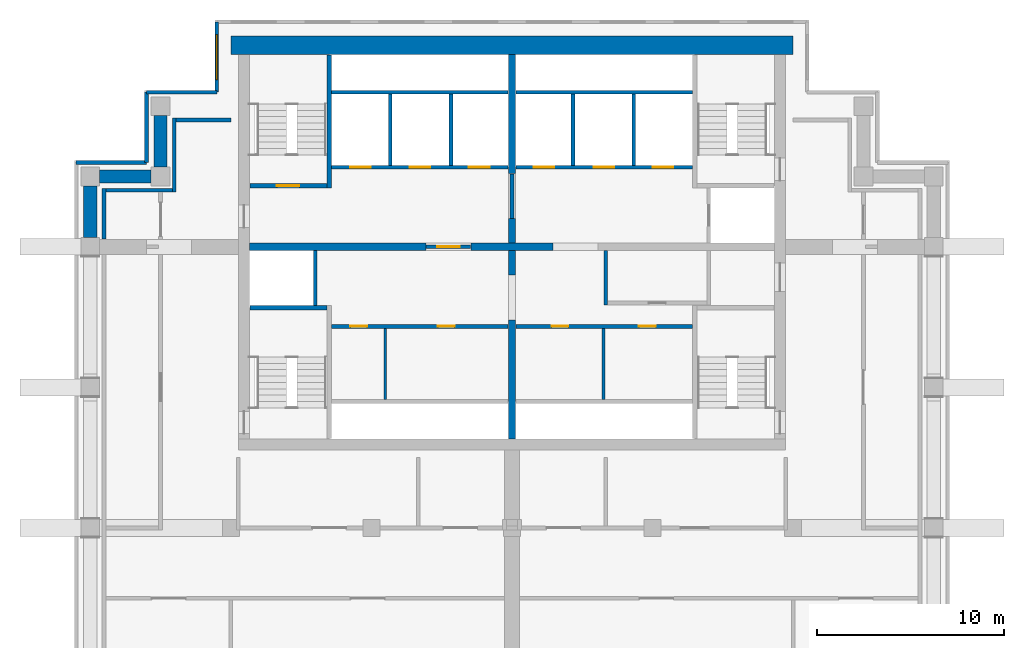
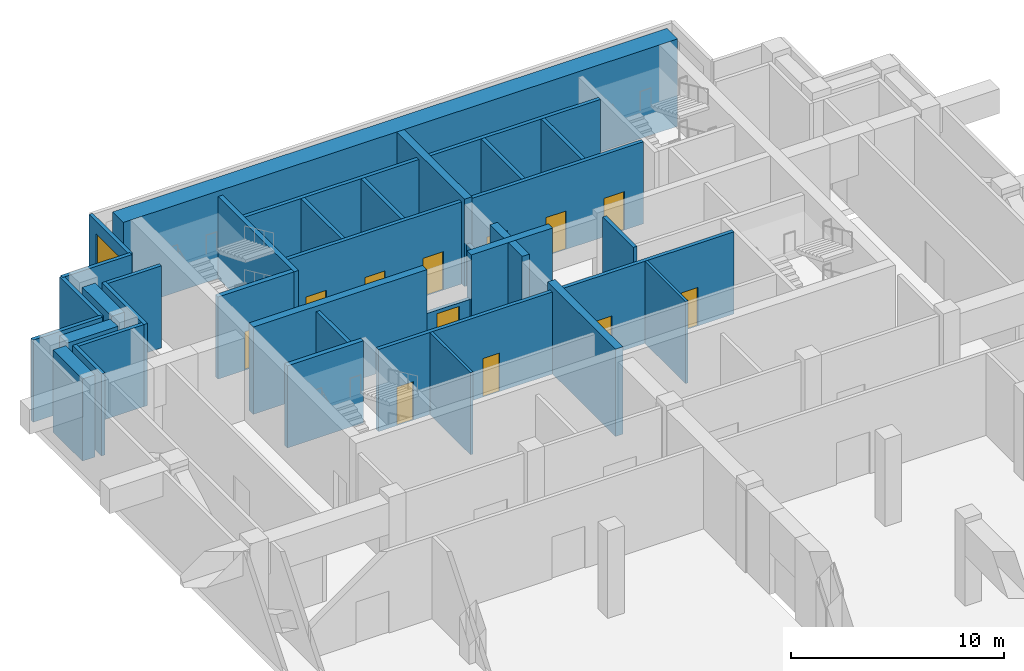
# One storey, part 3 of 6: 37 walls, 12 doors, 1 window, 13 openings.
"""IFC4 building model written with IfcOpenShell, lengths in metres."""

from ifc_helpers import new_model, si_unit, direction, frame, frame_2d, origin, place, context, subcontext, project, spatial, rectangle, extrude, material, layer, layer_set, type_object, element, fill, save


model = new_model("IFC4")

# Units and contexts
model_context = context("Model", 3, precision=1e-05, world=origin(), true_north=direction((0.0, 1.0)))
body_context = subcontext(model_context, "Body", "Model", "MODEL_VIEW")
ifc_project = project(units=[si_unit("LENGTHUNIT", "METRE"), si_unit("AREAUNIT", "SQUARE_METRE"), si_unit("VOLUMEUNIT", "CUBIC_METRE"), si_unit("PLANEANGLEUNIT", "RADIAN"), si_unit("MASSUNIT", "GRAM", prefix="KILO")], contexts=[model_context])

# Site, building, storey
site_placement = place(None, origin())
site = spatial("IfcSite", under=ifc_project, at=site_placement, CompositionType="ELEMENT")
building_placement = place(site_placement, origin())
building = spatial("IfcBuilding", under=site, at=building_placement, Name="Pilkhan Gate Tower", CompositionType="ELEMENT")
storey_placement = place(building_placement, frame((0.0, 0.0, 183.699951171875)))
storey = spatial("IfcBuildingStorey", under=building, at=storey_placement, Name="L47", CompositionType="ELEMENT", Elevation=183.699951171875)

# Walls
ifc_material_1 = material(Name="Concrete C60/75", Category="concrete")
ifc_layer_1 = layer(ifc_material_1, 0.699951171875)
ifc_layer_set_1 = layer_set([ifc_layer_1], Name="Belt wall BW700 C60/75")
wall_type_1 = type_object("IfcWallType", Name="Belt wall BW700 C60/75", PredefinedType="SHEAR", material=ifc_layer_set_1)
for number, where, z_axis, x_axis, name in (
    (1, (52.5, 83.0, 0.0), (0.0, 0.0, 1.0), (0.0, 1.0, 0.0), "Belt wall 11 L47"),
    (2, (53.0, 86.25, 0.0), (0.0, 0.0, 1.0), (1.0, 0.0, 0.0), "Belt wall 12 L47"),
    (3, (56.25, 86.75, 0.0), (0.0, 0.0, 1.0), (0.0, 1.0, 0.0), "Belt wall 13 L47"),
):
    element("IfcWall", number, at=place(storey_placement, frame(where, z_axis=z_axis, x_axis=x_axis)), inside=storey, type_object=wall_type_1, Name=name, PredefinedType="SHEAR", context=body_context, shape_type="SweptSolid", body=[
        extrude(rectangle(XDim=2.75, YDim=0.699951171875, at=frame_2d((1.375, 0.0))), origin(), (0.0, 0.0, 1.0), 4.699951171875),
    ])
ifc_material_2 = material(Name="Concrete C50/60", Category="concrete")
ifc_layer_2 = layer(ifc_material_2, 1.0)
ifc_layer_set_2 = layer_set([ifc_layer_2], Name="Core wall CW1000 C50/60")
wall_type_2 = type_object("IfcWallType", Name="Core wall CW1000 C50/60", PredefinedType="SHEAR", material=ifc_layer_set_2)
wall_1_placement = place(storey_placement, frame((90.0, 93.25, 0.0), z_axis=(0.0, 0.0, 1.0), x_axis=(-1.0, 0.0, 0.0)))
element("IfcWall", 4, at=wall_1_placement, inside=storey, type_object=wall_type_2, Name="Core wall N L47", PredefinedType="SHEAR", context=body_context, shape_type="SweptSolid", body=[
    extrude(rectangle(XDim=30.0, YDim=1.0, at=frame_2d((15.0, 0.0))), origin(), (0.0, 0.0, 1.0), 5.0),
])

# Wall, openings, doors
ifc_material_3 = material(Name="Dense blockwork", Category="masonry")
ifc_layer_3 = layer(ifc_material_3, 0.199951171875)
ifc_layer_set_3 = layer_set([ifc_layer_3], Name="Lobby wall LW200")
wall_type_3 = type_object("IfcWallType", Name="Lobby wall LW200", PredefinedType="PARTITIONING", material=ifc_layer_set_3)
wall_2_placement = place(storey_placement, frame((65.375, 78.25, 0.0), z_axis=(0.0, 0.0, 1.0), x_axis=(1.0, 0.0, 0.0)))
wall_2 = element("IfcWall", 5, at=wall_2_placement, inside=storey, type_object=wall_type_3, Name="Partition L47", PredefinedType="PARTITIONING", context=body_context, shape_type="SweptSolid", body=[
    extrude(rectangle(XDim=9.4150390625, YDim=0.199951171875, at=frame_2d((4.70751953125, 0.0))), origin(), (0.0, 0.0, 1.0), 4.699951171875),
])
opening_1_placement = place(wall_2_placement, frame((1.0, 0.0, 0.0)))
opening_1 = element("IfcOpeningElement", 6, at=opening_1_placement, cuts=wall_2, Name="Opening L47-12", PredefinedType="OPENING", context=body_context, shape_type="SweptSolid", body=[
    extrude(rectangle(XDim=0.89990234375, YDim=2.199951171875, at=frame_2d((0.449951171875, 1.10009765625))), frame((0.0, 0.10986328125, 0.0), z_axis=(0.0, -1.0, 0.0), x_axis=(1.0, 0.0, 0.0)), (0.0, 0.0, 1.0), 0.219970703125),
])
opening_2_placement = place(wall_2_placement, frame((5.6650390625, 0.0, 0.0)))
opening_2 = element("IfcOpeningElement", 7, at=opening_2_placement, cuts=wall_2, Name="Opening L47-13", PredefinedType="OPENING", context=body_context, shape_type="SweptSolid", body=[
    extrude(rectangle(XDim=0.89990234375, YDim=2.199951171875, at=frame_2d((0.449951171875, 1.10009765625))), frame((0.0, 0.10986328125, 0.0), z_axis=(0.0, -1.0, 0.0), x_axis=(1.0, 0.0, 0.0)), (0.0, 0.0, 1.0), 0.219970703125),
])
ifc_material_4 = material(Name="Timber flush door, 60 minute fire resisting, self-closing", Category="wood")
door_type_1 = type_object("IfcDoorType", Name="Store door D05 900x2200", OperationType="SINGLE_SWING_LEFT", PredefinedType="DOOR", material=ifc_material_4)
door_1_placement = place(opening_1_placement, origin())
door_1 = element("IfcDoor", 8, at=door_1_placement, inside=storey, type_object=door_type_1, Name="Store door", OperationType="SINGLE_SWING_LEFT", OverallHeight=2.199951171875, OverallWidth=0.89990234375, PredefinedType="DOOR", context=body_context, shape_type="SweptSolid", body=[
    extrude(rectangle(XDim=0.89990234375, YDim=2.199951171875, at=frame_2d((0.449951171875, 1.10009765625))), frame((0.0, 0.02490234375, 0.0), z_axis=(0.0, -1.0, 0.0), x_axis=(1.0, 0.0, 0.0)), (0.0, 0.0, 1.0), 0.050048828125),
])
fill(opening_1, door_1)
door_2_placement = place(opening_2_placement, origin())
door_2 = element("IfcDoor", 9, at=door_2_placement, inside=storey, type_object=door_type_1, Name="Store door", OperationType="SINGLE_SWING_LEFT", OverallHeight=2.199951171875, OverallWidth=0.89990234375, PredefinedType="DOOR", context=body_context, shape_type="SweptSolid", body=[
    extrude(rectangle(XDim=0.89990234375, YDim=2.199951171875, at=frame_2d((0.449951171875, 1.10009765625))), frame((0.0, 0.02490234375, 0.0), z_axis=(0.0, -1.0, 0.0), x_axis=(1.0, 0.0, 0.0)), (0.0, 0.0, 1.0), 0.050048828125),
])
fill(opening_2, door_2)

wall_3_placement = place(storey_placement, frame((75.2099609375, 78.25, 0.0), z_axis=(0.0, 0.0, 1.0), x_axis=(1.0, 0.0, 0.0)))
wall_3 = element("IfcWall", 10, at=wall_3_placement, inside=storey, type_object=wall_type_3, Name="Partition L47", PredefinedType="PARTITIONING", context=body_context, shape_type="SweptSolid", body=[
    extrude(rectangle(XDim=9.4150390625, YDim=0.199951171875, at=frame_2d((4.70751953125, 0.0))), origin(), (0.0, 0.0, 1.0), 4.699951171875),
])
opening_3_placement = place(wall_3_placement, frame((1.89990234375, 0.0, 0.0)))
opening_3 = element("IfcOpeningElement", 11, at=opening_3_placement, cuts=wall_3, Name="Opening L47-14", PredefinedType="OPENING", context=body_context, shape_type="SweptSolid", body=[
    extrude(rectangle(XDim=0.89990234375, YDim=2.199951171875, at=frame_2d((0.449951171875, 1.10009765625))), frame((0.0, 0.10986328125, 0.0), z_axis=(0.0, -1.0, 0.0), x_axis=(1.0, 0.0, 0.0)), (0.0, 0.0, 1.0), 0.219970703125),
])
opening_4_placement = place(wall_3_placement, frame((6.56494140625, 0.0, 0.0)))
opening_4 = element("IfcOpeningElement", 12, at=opening_4_placement, cuts=wall_3, Name="Opening L47-15", PredefinedType="OPENING", context=body_context, shape_type="SweptSolid", body=[
    extrude(rectangle(XDim=0.89990234375, YDim=2.199951171875, at=frame_2d((0.449951171875, 1.10009765625))), frame((0.0, 0.10986328125, 0.0), z_axis=(0.0, -1.0, 0.0), x_axis=(1.0, 0.0, 0.0)), (0.0, 0.0, 1.0), 0.219970703125),
])
door_3_placement = place(opening_3_placement, origin())
door_3 = element("IfcDoor", 13, at=door_3_placement, inside=storey, type_object=door_type_1, Name="Store door", OperationType="SINGLE_SWING_LEFT", OverallHeight=2.199951171875, OverallWidth=0.89990234375, PredefinedType="DOOR", context=body_context, shape_type="SweptSolid", body=[
    extrude(rectangle(XDim=0.89990234375, YDim=2.199951171875, at=frame_2d((0.449951171875, 1.10009765625))), frame((0.0, 0.02490234375, 0.0), z_axis=(0.0, -1.0, 0.0), x_axis=(1.0, 0.0, 0.0)), (0.0, 0.0, 1.0), 0.050048828125),
])
fill(opening_3, door_3)
door_4_placement = place(opening_4_placement, origin())
door_4 = element("IfcDoor", 14, at=door_4_placement, inside=storey, type_object=door_type_1, Name="Store door", OperationType="SINGLE_SWING_LEFT", OverallHeight=2.199951171875, OverallWidth=0.89990234375, PredefinedType="DOOR", context=body_context, shape_type="SweptSolid", body=[
    extrude(rectangle(XDim=0.89990234375, YDim=2.199951171875, at=frame_2d((0.449951171875, 1.10009765625))), frame((0.0, 0.02490234375, 0.0), z_axis=(0.0, -1.0, 0.0), x_axis=(1.0, 0.0, 0.0)), (0.0, 0.0, 1.0), 0.050048828125),
])
fill(opening_4, door_4)

# Wall, opening, door
wall_4_placement = place(storey_placement, frame((70.409912109375, 82.5, 0.0), z_axis=(0.0, 0.0, 1.0), x_axis=(1.0, 0.0, 0.0)))
wall_4 = element("IfcWall", 15, at=wall_4_placement, inside=storey, type_object=wall_type_3, Name="Partition L47", PredefinedType="PARTITIONING", context=body_context, shape_type="SweptSolid", body=[
    extrude(rectangle(XDim=2.380126953125, YDim=0.199951171875, at=frame_2d((1.18994140625, 0.0))), origin(), (0.0, 0.0, 1.0), 2.400146484375),
])
opening_5_placement = place(wall_4_placement, frame((0.60009765625, 0.0, 0.0)))
opening_5 = element("IfcOpeningElement", 16, at=opening_5_placement, cuts=wall_4, Name="Opening L47-01", PredefinedType="OPENING", context=body_context, shape_type="SweptSolid", body=[
    extrude(rectangle(XDim=1.199951171875, YDim=2.199951171875, at=frame_2d((0.60009765625, 1.10009765625))), frame((0.0, 0.10986328125, 0.0), z_axis=(0.0, -1.0, 0.0), x_axis=(1.0, 0.0, 0.0)), (0.0, 0.0, 1.0), 0.219970703125),
])
ifc_material_5 = material(Name="Steel door, 120 minute fire resisting, self-closing", Category="steel")
door_type_2 = type_object("IfcDoorType", Name="Firefighting lobby door D10 1200x2200", OperationType="SINGLE_SWING_LEFT", PredefinedType="DOOR", material=ifc_material_5)
door_5_placement = place(opening_5_placement, origin())
door_5 = element("IfcDoor", 17, at=door_5_placement, inside=storey, type_object=door_type_2, Name="Firefighting lobby door", OperationType="SINGLE_SWING_LEFT", OverallHeight=2.199951171875, OverallWidth=1.199951171875, PredefinedType="DOOR", context=body_context, shape_type="SweptSolid", body=[
    extrude(rectangle(XDim=1.199951171875, YDim=2.199951171875, at=frame_2d((0.60009765625, 1.10009765625))), frame((0.0, 0.02490234375, 0.0), z_axis=(0.0, -1.0, 0.0), x_axis=(1.0, 0.0, 0.0)), (0.0, 0.0, 1.0), 0.050048828125),
])
fill(opening_5, door_5)

# Walls
wall_5_placement = place(storey_placement, frame((53.3349609375, 85.514892578125, 0.0), z_axis=(0.0, 0.0, 1.0), x_axis=(1.0, 0.0, 0.0)))
element("IfcWall", 18, at=wall_5_placement, inside=storey, type_object=wall_type_3, Name="Partition L47", PredefinedType="PARTITIONING", context=body_context, shape_type="SweptSolid", body=[
    extrude(rectangle(XDim=3.550048828125, YDim=0.199951171875, at=frame_2d((1.77490234375, 0.0))), origin(), (0.0, 0.0, 1.0), 4.699951171875),
])
wall_6_placement = place(storey_placement, frame((57.0849609375, 89.264892578125, 0.0), z_axis=(0.0, 0.0, 1.0), x_axis=(1.0, 0.0, 0.0)))
element("IfcWall", 19, at=wall_6_placement, inside=storey, type_object=wall_type_3, Name="Partition L47", PredefinedType="PARTITIONING", context=body_context, shape_type="SweptSolid", body=[
    extrude(rectangle(XDim=2.9150390625, YDim=0.199951171875, at=frame_2d((1.45751953125, 0.0))), origin(), (0.0, 0.0, 1.0), 4.699951171875),
])
wall_7_placement = place(storey_placement, frame((53.235107421875, 82.909912109375, 0.0), z_axis=(0.0, 0.0, 1.0), x_axis=(0.0, 1.0, 0.0)))
element("IfcWall", 20, at=wall_7_placement, inside=storey, type_object=wall_type_3, Name="Partition L47", PredefinedType="PARTITIONING", context=body_context, shape_type="SweptSolid", body=[
    extrude(rectangle(XDim=2.705078125, YDim=0.199951171875, at=frame_2d((1.3525390625, 0.0))), origin(), (0.0, 0.0, 1.0), 4.699951171875),
])
wall_8_placement = place(storey_placement, frame((56.985107421875, 85.4150390625, 0.0), z_axis=(0.0, 0.0, 1.0), x_axis=(0.0, 1.0, 0.0)))
element("IfcWall", 21, at=wall_8_placement, inside=storey, type_object=wall_type_3, Name="Partition L47", PredefinedType="PARTITIONING", context=body_context, shape_type="SweptSolid", body=[
    extrude(rectangle(XDim=3.949951171875, YDim=0.199951171875, at=frame_2d((1.97509765625, 0.0))), origin(), (0.0, 0.0, 1.0), 4.699951171875),
])
wall_9_placement = place(storey_placement, frame((75.0, 84.010009765625, 0.0), z_axis=(0.0, 0.0, 1.0), x_axis=(0.0, 1.0, 0.0)))
element("IfcWall", 22, at=wall_9_placement, inside=storey, type_object=wall_type_3, Name="Partition L47", PredefinedType="PARTITIONING", context=body_context, shape_type="SweptSolid", body=[
    extrude(rectangle(XDim=2.3798828125, YDim=0.199951171875, at=frame_2d((1.18994140625, 0.0))), origin(), (0.0, 0.0, 1.0), 2.400146484375),
])
wall_10_placement = place(storey_placement, frame((80.0, 79.39990234375, 0.0), z_axis=(0.0, 0.0, 1.0), x_axis=(0.0, 1.0, 0.0)))
element("IfcWall", 23, at=wall_10_placement, inside=storey, type_object=wall_type_3, Name="Partition L47", PredefinedType="PARTITIONING", context=body_context, shape_type="SweptSolid", body=[
    extrude(rectangle(XDim=2.89013671875, YDim=0.199951171875, at=frame_2d((1.445068359375, 0.0))), origin(), (0.0, 0.0, 1.0), 4.699951171875),
])
ifc_material_6 = material(Name="Blockwork partition, plastered both sides", Category="masonry")
ifc_layer_4 = layer(ifc_material_6, 0.14990234375)
ifc_layer_set_4 = layer_set([ifc_layer_4], Name="Partition PW150")
wall_type_4 = type_object("IfcWallType", Name="Partition PW150", PredefinedType="PARTITIONING", material=ifc_layer_set_4)
for number, where, z_axis, x_axis, name in (
    (24, (68.239990234375, 74.35009765625, 0.0), (0.0, 0.0, 1.0), (0.0, 1.0, 0.0), "Partition L47"),
    (25, (79.875, 74.35009765625, 0.0), (0.0, 0.0, 1.0), (0.0, 1.0, 0.0), "Partition L47"),
):
    element("IfcWall", number, at=place(storey_placement, frame(where, z_axis=z_axis, x_axis=x_axis)), inside=storey, type_object=wall_type_4, Name=name, PredefinedType="PARTITIONING", context=body_context, shape_type="SweptSolid", body=[
        extrude(rectangle(XDim=3.7998046875, YDim=0.14990234375, at=frame_2d((1.89990234375, 0.0))), origin(), (0.0, 0.0, 1.0), 4.699951171875),
    ])

# Wall, opening, window
ifc_material_7 = material(Name="Pale anodised aluminium cladding", Category="aluminium")
ifc_layer_5 = layer(ifc_material_7, 0.199951171875)
ifc_layer_set_5 = layer_set([ifc_layer_5], Name="Plant screen wall PS200")
wall_type_5 = type_object("IfcWallType", Name="Plant screen wall PS200", PredefinedType="SOLIDWALL", material=ifc_layer_set_5)
wall_11_placement = place(storey_placement, frame((59.25, 90.75, 0.0), z_axis=(0.0, 0.0, 1.0), x_axis=(0.0, 1.0, 0.0)))
wall_11 = element("IfcWall", 26, at=wall_11_placement, inside=storey, type_object=wall_type_5, Name="Plant screen wall L47 W", PredefinedType="SOLIDWALL", context=body_context, shape_type="SweptSolid", body=[
    extrude(rectangle(XDim=3.75, YDim=0.199951171875, at=frame_2d((1.875, 0.0))), origin(), (0.0, 0.0, 1.0), 4.699951171875),
])
opening_6_placement = place(wall_11_placement, frame((0.675048828125, 0.0, 1.0)))
opening_6 = element("IfcOpeningElement", 27, at=opening_6_placement, cuts=wall_11, Name="Opening WL1", PredefinedType="OPENING", context=body_context, shape_type="SweptSolid", body=[
    extrude(rectangle(XDim=2.39990234375, YDim=3.0, at=frame_2d((1.199951171875, 1.5))), frame((0.0, 0.10986328125, 0.0), z_axis=(0.0, -1.0, 0.0), x_axis=(1.0, 0.0, 0.0)), (0.0, 0.0, 1.0), 0.219970703125),
])
ifc_material_8 = material(Name="Pale anodised aluminium storm louvre, bird mesh", Category="aluminium")
window_type = type_object("IfcWindowType", Name="Plant louvre WL1 2400x3000", PartitioningType="SINGLE_PANEL", PredefinedType="USERDEFINED", material=ifc_material_8)
window_placement = place(opening_6_placement, origin())
window = element("IfcWindow", 28, at=window_placement, inside=storey, type_object=window_type, Name="Louvre L47", ObjectType="LOUVRE", OverallHeight=3.0, OverallWidth=2.39990234375, PartitioningType="SINGLE_PANEL", PredefinedType="USERDEFINED", context=body_context, shape_type="SweptSolid", body=[
    extrude(rectangle(XDim=2.39990234375, YDim=3.0, at=frame_2d((1.199951171875, 1.5))), frame((0.0, 0.030029296875, 0.0), z_axis=(0.0, -1.0, 0.0), x_axis=(1.0, 0.0, 0.0)), (0.0, 0.0, 1.0), 0.06005859375),
])
fill(opening_6, window)

# Walls
for number, where, z_axis, x_axis, name in (
    (29, (55.5, 90.75, 0.0), (0.0, 0.0, 1.0), (1.0, 0.0, 0.0), "Plant screen wall L47 N"),
    (30, (55.5, 87.0, 0.0), (0.0, 0.0, 1.0), (0.0, 1.0, 0.0), "Plant screen wall L47 W"),
    (31, (51.75, 87.0, 0.0), (0.0, 0.0, 1.0), (1.0, 0.0, 0.0), "Plant screen wall L47 N"),
):
    element("IfcWall", number, at=place(storey_placement, frame(where, z_axis=z_axis, x_axis=x_axis)), inside=storey, type_object=wall_type_5, Name=name, PredefinedType="SOLIDWALL", context=body_context, shape_type="SweptSolid", body=[
        extrude(rectangle(XDim=3.75, YDim=0.199951171875, at=frame_2d((1.875, 0.0))), origin(), (0.0, 0.0, 1.0), 4.699951171875),
    ])

# Wall, openings, doors
ifc_material_9 = material(Name="Reinforced blockwork shaft wall, 120 minute fire resisting", Category="masonry")
ifc_layer_6 = layer(ifc_material_9, 0.199951171875)
ifc_layer_set_6 = layer_set([ifc_layer_6], Name="Shaft wall SW200")
wall_type_6 = type_object("IfcWallType", Name="Shaft wall SW200", PredefinedType="PARTITIONING", material=ifc_layer_set_6)
wall_12_placement = place(storey_placement, frame((65.375, 86.75, 0.0), z_axis=(0.0, 0.0, 1.0), x_axis=(1.0, 0.0, 0.0)))
wall_12 = element("IfcWall", 32, at=wall_12_placement, inside=storey, type_object=wall_type_6, Name="Partition L47", PredefinedType="PARTITIONING", context=body_context, shape_type="SweptSolid", body=[
    extrude(rectangle(XDim=9.4150390625, YDim=0.199951171875, at=frame_2d((4.70751953125, 0.0))), origin(), (0.0, 0.0, 1.0), 4.699951171875),
])
opening_7_placement = place(wall_12_placement, frame((1.0, 0.0, 0.0)))
opening_7 = element("IfcOpeningElement", 33, at=opening_7_placement, cuts=wall_12, Name="Opening LD", PredefinedType="OPENING", context=body_context, shape_type="SweptSolid", body=[
    extrude(rectangle(XDim=1.10009765625, YDim=2.199951171875, at=frame_2d((0.550048828125, 1.10009765625))), frame((0.0, 0.10986328125, 0.0), z_axis=(0.0, -1.0, 0.0), x_axis=(1.0, 0.0, 0.0)), (0.0, 0.0, 1.0), 0.219970703125),
])
opening_8_placement = place(wall_12_placement, frame((4.175048828125, 0.0, 0.0)))
opening_8 = element("IfcOpeningElement", 34, at=opening_8_placement, cuts=wall_12, Name="Opening LD", PredefinedType="OPENING", context=body_context, shape_type="SweptSolid", body=[
    extrude(rectangle(XDim=1.10009765625, YDim=2.199951171875, at=frame_2d((0.550048828125, 1.10009765625))), frame((0.0, 0.10986328125, 0.0), z_axis=(0.0, -1.0, 0.0), x_axis=(1.0, 0.0, 0.0)), (0.0, 0.0, 1.0), 0.219970703125),
])
opening_9_placement = place(wall_12_placement, frame((7.324951171875, 0.0, 0.0)))
opening_9 = element("IfcOpeningElement", 35, at=opening_9_placement, cuts=wall_12, Name="Opening LD", PredefinedType="OPENING", context=body_context, shape_type="SweptSolid", body=[
    extrude(rectangle(XDim=1.10009765625, YDim=2.199951171875, at=frame_2d((0.550048828125, 1.10009765625))), frame((0.0, 0.10986328125, 0.0), z_axis=(0.0, -1.0, 0.0), x_axis=(1.0, 0.0, 0.0)), (0.0, 0.0, 1.0), 0.219970703125),
])
ifc_material_10 = material(Name="Stainless steel centre-opening landing door, 120 minute fire resisting", Category="steel")
door_type_3 = type_object("IfcDoorType", Name="Lift landing door LD 1100x2200", OperationType="DOUBLE_DOOR_SLIDING", PredefinedType="DOOR", material=ifc_material_10)
door_6_placement = place(opening_7_placement, origin())
door_6 = element("IfcDoor", 36, at=door_6_placement, inside=storey, type_object=door_type_3, Name="Landing door FF1", OperationType="DOUBLE_DOOR_SLIDING", OverallHeight=2.199951171875, OverallWidth=1.10009765625, PredefinedType="DOOR", context=body_context, shape_type="SweptSolid", body=[
    extrude(rectangle(XDim=1.10009765625, YDim=2.199951171875, at=frame_2d((0.550048828125, 1.10009765625))), frame((0.0, 0.02490234375, 0.0), z_axis=(0.0, -1.0, 0.0), x_axis=(1.0, 0.0, 0.0)), (0.0, 0.0, 1.0), 0.050048828125),
])
fill(opening_7, door_6)
door_7_placement = place(opening_8_placement, origin())
door_7 = element("IfcDoor", 37, at=door_7_placement, inside=storey, type_object=door_type_3, Name="Landing door FF2", OperationType="DOUBLE_DOOR_SLIDING", OverallHeight=2.199951171875, OverallWidth=1.10009765625, PredefinedType="DOOR", context=body_context, shape_type="SweptSolid", body=[
    extrude(rectangle(XDim=1.10009765625, YDim=2.199951171875, at=frame_2d((0.550048828125, 1.10009765625))), frame((0.0, 0.02490234375, 0.0), z_axis=(0.0, -1.0, 0.0), x_axis=(1.0, 0.0, 0.0)), (0.0, 0.0, 1.0), 0.050048828125),
])
fill(opening_8, door_7)
door_8_placement = place(opening_9_placement, origin())
door_8 = element("IfcDoor", 38, at=door_8_placement, inside=storey, type_object=door_type_3, Name="Landing door SV1", OperationType="DOUBLE_DOOR_SLIDING", OverallHeight=2.199951171875, OverallWidth=1.10009765625, PredefinedType="DOOR", context=body_context, shape_type="SweptSolid", body=[
    extrude(rectangle(XDim=1.10009765625, YDim=2.199951171875, at=frame_2d((0.550048828125, 1.10009765625))), frame((0.0, 0.02490234375, 0.0), z_axis=(0.0, -1.0, 0.0), x_axis=(1.0, 0.0, 0.0)), (0.0, 0.0, 1.0), 0.050048828125),
])
fill(opening_9, door_8)

wall_13_placement = place(storey_placement, frame((75.2099609375, 86.75, 0.0), z_axis=(0.0, 0.0, 1.0), x_axis=(1.0, 0.0, 0.0)))
wall_13 = element("IfcWall", 39, at=wall_13_placement, inside=storey, type_object=wall_type_6, Name="Partition L47", PredefinedType="PARTITIONING", context=body_context, shape_type="SweptSolid", body=[
    extrude(rectangle(XDim=9.4150390625, YDim=0.199951171875, at=frame_2d((4.70751953125, 0.0))), origin(), (0.0, 0.0, 1.0), 4.699951171875),
])
opening_10_placement = place(wall_13_placement, frame((0.949951171875, 0.0, 0.0)))
opening_10 = element("IfcOpeningElement", 40, at=opening_10_placement, cuts=wall_13, Name="Opening LD", PredefinedType="OPENING", context=body_context, shape_type="SweptSolid", body=[
    extrude(rectangle(XDim=1.10009765625, YDim=2.199951171875, at=frame_2d((0.550048828125, 1.10009765625))), frame((0.0, 0.10986328125, 0.0), z_axis=(0.0, -1.0, 0.0), x_axis=(1.0, 0.0, 0.0)), (0.0, 0.0, 1.0), 0.219970703125),
])
opening_11_placement = place(wall_13_placement, frame((4.139892578125, 0.0, 0.0)))
opening_11 = element("IfcOpeningElement", 41, at=opening_11_placement, cuts=wall_13, Name="Opening LD", PredefinedType="OPENING", context=body_context, shape_type="SweptSolid", body=[
    extrude(rectangle(XDim=1.10009765625, YDim=2.199951171875, at=frame_2d((0.550048828125, 1.10009765625))), frame((0.0, 0.10986328125, 0.0), z_axis=(0.0, -1.0, 0.0), x_axis=(1.0, 0.0, 0.0)), (0.0, 0.0, 1.0), 0.219970703125),
])
opening_12_placement = place(wall_13_placement, frame((7.2900390625, 0.0, 0.0)))
opening_12 = element("IfcOpeningElement", 42, at=opening_12_placement, cuts=wall_13, Name="Opening LD", PredefinedType="OPENING", context=body_context, shape_type="SweptSolid", body=[
    extrude(rectangle(XDim=1.10009765625, YDim=2.199951171875, at=frame_2d((0.550048828125, 1.10009765625))), frame((0.0, 0.10986328125, 0.0), z_axis=(0.0, -1.0, 0.0), x_axis=(1.0, 0.0, 0.0)), (0.0, 0.0, 1.0), 0.219970703125),
])
door_9_placement = place(opening_10_placement, origin())
door_9 = element("IfcDoor", 43, at=door_9_placement, inside=storey, type_object=door_type_3, Name="Landing door HR1", OperationType="DOUBLE_DOOR_SLIDING", OverallHeight=2.199951171875, OverallWidth=1.10009765625, PredefinedType="DOOR", context=body_context, shape_type="SweptSolid", body=[
    extrude(rectangle(XDim=1.10009765625, YDim=2.199951171875, at=frame_2d((0.550048828125, 1.10009765625))), frame((0.0, 0.02490234375, 0.0), z_axis=(0.0, -1.0, 0.0), x_axis=(1.0, 0.0, 0.0)), (0.0, 0.0, 1.0), 0.050048828125),
])
fill(opening_10, door_9)
door_10_placement = place(opening_11_placement, origin())
door_10 = element("IfcDoor", 44, at=door_10_placement, inside=storey, type_object=door_type_3, Name="Landing door HR2", OperationType="DOUBLE_DOOR_SLIDING", OverallHeight=2.199951171875, OverallWidth=1.10009765625, PredefinedType="DOOR", context=body_context, shape_type="SweptSolid", body=[
    extrude(rectangle(XDim=1.10009765625, YDim=2.199951171875, at=frame_2d((0.550048828125, 1.10009765625))), frame((0.0, 0.02490234375, 0.0), z_axis=(0.0, -1.0, 0.0), x_axis=(1.0, 0.0, 0.0)), (0.0, 0.0, 1.0), 0.050048828125),
])
fill(opening_11, door_10)
door_11_placement = place(opening_12_placement, origin())
door_11 = element("IfcDoor", 45, at=door_11_placement, inside=storey, type_object=door_type_3, Name="Landing door HR3", OperationType="DOUBLE_DOOR_SLIDING", OverallHeight=2.199951171875, OverallWidth=1.10009765625, PredefinedType="DOOR", context=body_context, shape_type="SweptSolid", body=[
    extrude(rectangle(XDim=1.10009765625, YDim=2.199951171875, at=frame_2d((0.550048828125, 1.10009765625))), frame((0.0, 0.02490234375, 0.0), z_axis=(0.0, -1.0, 0.0), x_axis=(1.0, 0.0, 0.0)), (0.0, 0.0, 1.0), 0.050048828125),
])
fill(opening_12, door_11)

# Walls
for number, where, z_axis, x_axis, name in (
    (46, (65.375, 90.75, 0.0), (0.0, 0.0, 1.0), (1.0, 0.0, 0.0), "Partition L47"),
    (47, (75.2099609375, 90.75, 0.0), (0.0, 0.0, 1.0), (1.0, 0.0, 0.0), "Partition L47"),
):
    element("IfcWall", number, at=place(storey_placement, frame(where, z_axis=z_axis, x_axis=x_axis)), inside=storey, type_object=wall_type_6, Name=name, PredefinedType="PARTITIONING", context=body_context, shape_type="SweptSolid", body=[
        extrude(rectangle(XDim=9.4150390625, YDim=0.199951171875, at=frame_2d((4.70751953125, 0.0))), origin(), (0.0, 0.0, 1.0), 4.699951171875),
    ])
wall_14_placement = place(storey_placement, frame((64.5, 79.375, 0.0), z_axis=(0.0, 0.0, 1.0), x_axis=(0.0, 1.0, 0.0)))
element("IfcWall", 48, at=wall_14_placement, inside=storey, type_object=wall_type_6, Name="Partition L47", PredefinedType="PARTITIONING", context=body_context, shape_type="SweptSolid", body=[
    extrude(rectangle(XDim=2.9150390625, YDim=0.199951171875, at=frame_2d((1.45751953125, 0.0))), origin(), (0.0, 0.0, 1.0), 4.699951171875),
])
for number, where, z_axis, x_axis, name in (
    (49, (68.5, 86.85009765625, 0.0), (0.0, 0.0, 1.0), (0.0, 1.0, 0.0), "Partition L47"),
    (50, (71.75, 86.85009765625, 0.0), (0.0, 0.0, 1.0), (0.0, 1.0, 0.0), "Partition L47"),
    (51, (78.25, 86.85009765625, 0.0), (0.0, 0.0, 1.0), (0.0, 1.0, 0.0), "Partition L47"),
    (52, (81.5, 86.85009765625, 0.0), (0.0, 0.0, 1.0), (0.0, 1.0, 0.0), "Partition L47"),
):
    element("IfcWall", number, at=place(storey_placement, frame(where, z_axis=z_axis, x_axis=x_axis)), inside=storey, type_object=wall_type_6, Name=name, PredefinedType="PARTITIONING", context=body_context, shape_type="SweptSolid", body=[
        extrude(rectangle(XDim=3.7998046875, YDim=0.199951171875, at=frame_2d((1.89990234375, 0.0))), origin(), (0.0, 0.0, 1.0), 4.699951171875),
    ])
ifc_layer_7 = layer(ifc_material_2, 0.39990234375)
ifc_layer_set_7 = layer_set([ifc_layer_7], Name="Spine wall SW400 C50/60")
wall_type_7 = type_object("IfcWallType", Name="Spine wall SW400 C50/60", PredefinedType="SHEAR", material=ifc_layer_set_7)
wall_15_placement = place(storey_placement, frame((61.0, 82.5, 0.0), z_axis=(0.0, 0.0, 1.0), x_axis=(1.0, 0.0, 0.0)))
element("IfcWall", 53, at=wall_15_placement, inside=storey, type_object=wall_type_7, Name="Spine wall SP-EW1 L47", PredefinedType="SHEAR", context=body_context, shape_type="SweptSolid", body=[
    extrude(rectangle(XDim=9.39990234375, YDim=0.39990234375, at=frame_2d((4.699951171875, 0.0))), origin(), (0.0, 0.0, 1.0), 5.0),
])
wall_16_placement = place(storey_placement, frame((72.800048828125, 82.5, 0.0), z_axis=(0.0, 0.0, 1.0), x_axis=(1.0, 0.0, 0.0)))
element("IfcWall", 54, at=wall_16_placement, inside=storey, type_object=wall_type_7, Name="Spine wall SP-EW2 L47", PredefinedType="SHEAR", context=body_context, shape_type="SweptSolid", body=[
    extrude(rectangle(XDim=4.39990234375, YDim=0.39990234375, at=frame_2d((2.199951171875, 0.0))), origin(), (0.0, 0.0, 1.0), 5.0),
])
wall_17_placement = place(storey_placement, frame((75.0, 72.25, 0.0), z_axis=(0.0, 0.0, 1.0), x_axis=(0.0, 1.0, 0.0)))
element("IfcWall", 55, at=wall_17_placement, inside=storey, type_object=wall_type_7, Name="Spine wall SP-NS-S1 L47", PredefinedType="SHEAR", context=body_context, shape_type="SweptSolid", body=[
    extrude(rectangle(XDim=6.35009765625, YDim=0.39990234375, at=frame_2d((3.175048828125, 0.0))), origin(), (0.0, 0.0, 1.0), 5.0),
])
for number, where, z_axis, x_axis, name in (
    (56, (75.0, 81.0, 0.0), (0.0, 0.0, 1.0), (0.0, 1.0, 0.0), "Spine wall SP-NS-S2 L47"),
    (57, (75.0, 82.699951171875, 0.0), (0.0, 0.0, 1.0), (0.0, 1.0, 0.0), "Spine wall SP-NS-N1 L47"),
):
    element("IfcWall", number, at=place(storey_placement, frame(where, z_axis=z_axis, x_axis=x_axis)), inside=storey, type_object=wall_type_7, Name=name, PredefinedType="SHEAR", context=body_context, shape_type="SweptSolid", body=[
        extrude(rectangle(XDim=1.300048828125, YDim=0.39990234375, at=frame_2d((0.64990234375, 0.0))), origin(), (0.0, 0.0, 1.0), 5.0),
    ])
wall_18_placement = place(storey_placement, frame((75.0, 86.39990234375, 0.0), z_axis=(0.0, 0.0, 1.0), x_axis=(0.0, 1.0, 0.0)))
element("IfcWall", 58, at=wall_18_placement, inside=storey, type_object=wall_type_7, Name="Spine wall SP-NS-N2 L47", PredefinedType="SHEAR", context=body_context, shape_type="SweptSolid", body=[
    extrude(rectangle(XDim=6.35009765625, YDim=0.39990234375, at=frame_2d((3.175048828125, 0.0))), origin(), (0.0, 0.0, 1.0), 5.0),
])
ifc_material_11 = material(Name="Reinforced blockwork, 120 minute fire resisting", Category="masonry")
ifc_layer_8 = layer(ifc_material_11, 0.25)
ifc_layer_set_8 = layer_set([ifc_layer_8], Name="Stair enclosure wall SE250")
wall_type_8 = type_object("IfcWallType", Name="Stair enclosure wall SE250", PredefinedType="PARTITIONING", material=ifc_layer_set_8)
wall_19_placement = place(storey_placement, frame((61.010009765625, 79.25, 0.0), z_axis=(0.0, 0.0, 1.0), x_axis=(1.0, 0.0, 0.0)))
element("IfcWall", 59, at=wall_19_placement, inside=storey, type_object=wall_type_8, Name="Partition L47", PredefinedType="PARTITIONING", context=body_context, shape_type="SweptSolid", body=[
    extrude(rectangle(XDim=4.114990234375, YDim=0.25, at=frame_2d((2.0576171875, 0.0))), origin(), (0.0, 0.0, 1.0), 4.699951171875),
])

# Wall, opening, door
wall_20_placement = place(storey_placement, frame((61.010009765625, 85.75, 0.0), z_axis=(0.0, 0.0, 1.0), x_axis=(1.0, 0.0, 0.0)))
wall_20 = element("IfcWall", 60, at=wall_20_placement, inside=storey, type_object=wall_type_8, Name="Partition L47", PredefinedType="PARTITIONING", context=body_context, shape_type="SweptSolid", body=[
    extrude(rectangle(XDim=4.114990234375, YDim=0.25, at=frame_2d((2.0576171875, 0.0))), origin(), (0.0, 0.0, 1.0), 4.699951171875),
])
opening_13_placement = place(wall_20_placement, frame((1.449951171875, 0.0, 0.0)))
opening_13 = element("IfcOpeningElement", 61, at=opening_13_placement, cuts=wall_20, Name="Opening L47-02", PredefinedType="OPENING", context=body_context, shape_type="SweptSolid", body=[
    extrude(rectangle(XDim=1.199951171875, YDim=2.199951171875, at=frame_2d((0.60009765625, 1.10009765625))), frame((0.0, 0.135009765625, 0.0), z_axis=(0.0, -1.0, 0.0), x_axis=(1.0, 0.0, 0.0)), (0.0, 0.0, 1.0), 0.27001953125),
])
ifc_material_12 = material(Name="Steel door, 120 minute fire resisting, panic bar", Category="steel")
door_type_4 = type_object("IfcDoorType", Name="Stair door D11 1200x2200", OperationType="SINGLE_SWING_LEFT", PredefinedType="DOOR", material=ifc_material_12)
door_12_placement = place(opening_13_placement, origin())
door_12 = element("IfcDoor", 62, at=door_12_placement, inside=storey, type_object=door_type_4, Name="Stair ST3 lobby door", OperationType="SINGLE_SWING_RIGHT", OverallHeight=2.199951171875, OverallWidth=1.199951171875, PredefinedType="DOOR", context=body_context, shape_type="SweptSolid", body=[
    extrude(rectangle(XDim=1.199951171875, YDim=2.199951171875, at=frame_2d((0.60009765625, 1.10009765625))), frame((0.0, 0.02490234375, 0.0), z_axis=(0.0, -1.0, 0.0), x_axis=(1.0, 0.0, 0.0)), (0.0, 0.0, 1.0), 0.050048828125),
])
fill(opening_13, door_12)

# Wall
wall_21_placement = place(storey_placement, frame((65.25, 85.625, 0.0), z_axis=(0.0, 0.0, 1.0), x_axis=(0.0, 1.0, 0.0)))
element("IfcWall", 63, at=wall_21_placement, inside=storey, type_object=wall_type_8, Name="Partition L47", PredefinedType="PARTITIONING", context=body_context, shape_type="SweptSolid", body=[
    extrude(rectangle(XDim=7.114990234375, YDim=0.25, at=frame_2d((3.5576171875, 0.0))), origin(), (0.0, 0.0, 1.0), 4.699951171875),
])

save(model, "model.ifc")
